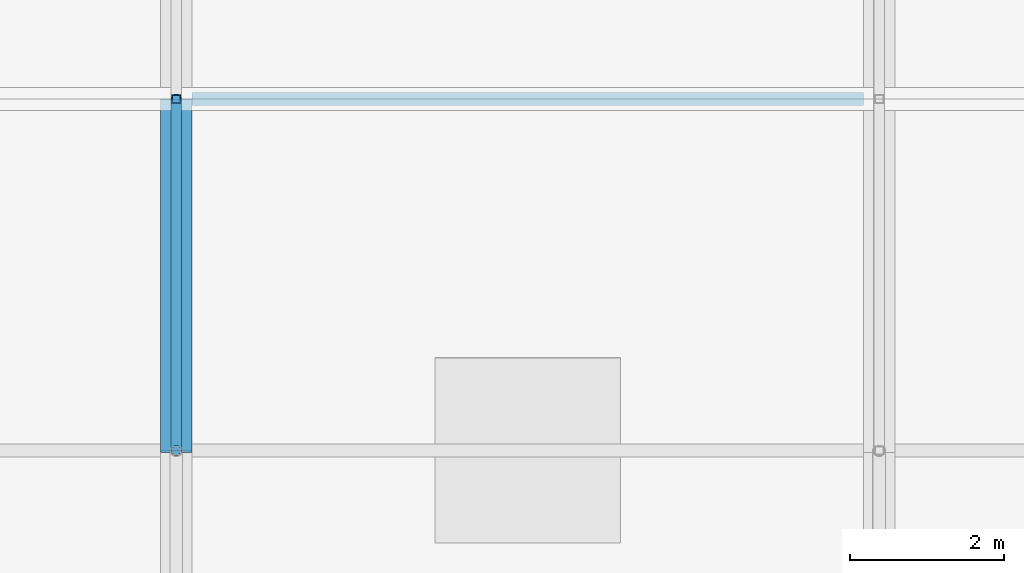
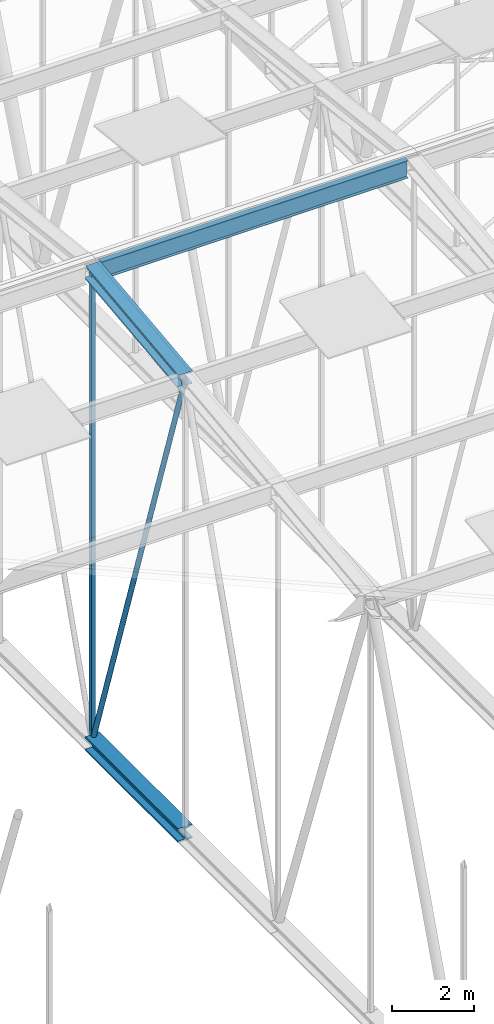
# One storey, part 143 of 500: 5 members.
"""IFC4 building model written with IfcOpenShell, lengths in metres."""

from ifc_helpers import new_model, si_unit, direction, frame, origin, origin_2d, place, context, subcontext, project, spatial, hollow_rectangle, hollow_circle, i_section, extrude, material, material_profile, profile_set, type_object, element, save


model = new_model("IFC4")

# Units and contexts
model_context = context("Model", 3, precision=1e-05, world=origin(), true_north=direction((0.0, 1.0)))
body_context = subcontext(model_context, "Body", "Model", "MODEL_VIEW")
ifc_project = project(units=[si_unit("LENGTHUNIT", "METRE"), si_unit("AREAUNIT", "SQUARE_METRE"), si_unit("VOLUMEUNIT", "CUBIC_METRE"), si_unit("PLANEANGLEUNIT", "RADIAN"), si_unit("MASSUNIT", "GRAM", prefix="KILO")], contexts=[model_context])

# Site, building, storey
site_placement = place(None, origin())
site = spatial("IfcSite", under=ifc_project, at=site_placement, CompositionType="ELEMENT")
building_placement = place(site_placement, origin())
building = spatial("IfcBuilding", under=site, at=building_placement, Name="Shirokan Park Arena", CompositionType="ELEMENT")
storey_placement = place(building_placement, frame((0.0, 0.0, 29.1201171875)))
storey = spatial("IfcBuildingStorey", under=building, at=storey_placement, Name="L06", CompositionType="ELEMENT", Elevation=29.1201171875)

# Members
ifc_material_1 = material(Name="Steel ASTM A992", Category="steel")
ifc_material_profile_1 = material_profile(ifc_material_1, i_section(OverallWidth=0.406005859375, OverallDepth=0.4169921875, WebThickness=0.030029296875, FlangeThickness=0.048095703125, at=origin_2d()), Name="W360X382")
ifc_profile_set_1 = profile_set([ifc_material_profile_1], Name="Steel ASTM A992")
member_type_1 = type_object("IfcMemberType", Name="Bottom chord W360X382", PredefinedType="CHORD", material=ifc_profile_set_1)
member_1_placement = place(storey_placement, frame((72.800048828125, 50.050048828125, 4.677001953125), z_axis=(0.0, 1.0, 0.0), x_axis=(-1.0, 0.0, 0.0)))
element("IfcMember", 1, at=member_1_placement, inside=storey, type_object=member_type_1, Name="Truss T09 bottom chord 14", PredefinedType="CHORD", context=body_context, shape_type="SweptSolid", body=[
    extrude(i_section(OverallWidth=0.406005859375, OverallDepth=0.4169921875, WebThickness=0.030029296875, FlangeThickness=0.048095703125, at=origin_2d()), origin(), (0.0, 0.0, 1.0), 4.550048828125),
])
ifc_material_profile_2 = material_profile(ifc_material_1, i_section(OverallWidth=0.166015625, OverallDepth=0.528076171875, WebThickness=0.009765625, FlangeThickness=0.013671875, at=origin_2d()), Name="W530X74")
ifc_profile_set_2 = profile_set([ifc_material_profile_2], Name="Steel ASTM A992")
member_type_2 = type_object("IfcMemberType", Name="Purlin W530X74", PredefinedType="PURLIN", material=ifc_profile_set_2)
member_2_placement = place(storey_placement, frame((73.0029296875, 54.60009765625, 18.725830078125), z_axis=(1.0, 0.0, 0.0), x_axis=(0.0, 1.0, 0.0)))
element("IfcMember", 2, at=member_2_placement, inside=storey, type_object=member_type_2, Name="Purlin 15 bay 9", PredefinedType="PURLIN", context=body_context, shape_type="SweptSolid", body=[
    extrude(i_section(OverallWidth=0.166015625, OverallDepth=0.528076171875, WebThickness=0.009765625, FlangeThickness=0.013671875, at=origin_2d()), origin(), (0.0, 0.0, 1.0), 8.694091796875),
])
ifc_material_profile_3 = material_profile(ifc_material_1, i_section(OverallWidth=0.406005859375, OverallDepth=0.4169921875, WebThickness=0.030029296875, FlangeThickness=0.048095703125, at=origin_2d()), Name="W360X382")
ifc_profile_set_3 = profile_set([ifc_material_profile_3], Name="Steel ASTM A992")
member_type_3 = type_object("IfcMemberType", Name="Top chord W360X382", PredefinedType="CHORD", material=ifc_profile_set_3)
member_3_placement = place(storey_placement, frame((72.800048828125, 50.050048828125, 18.261474609375), z_axis=(0.0, 0.993532328996, 0.113549598152), x_axis=(-1.0, 0.0, 0.0)))
element("IfcMember", 3, at=member_3_placement, inside=storey, type_object=member_type_3, Name="Truss T09 top chord 14", PredefinedType="CHORD", context=body_context, shape_type="SweptSolid", body=[
    extrude(i_section(OverallWidth=0.406005859375, OverallDepth=0.4169921875, WebThickness=0.030029296875, FlangeThickness=0.048095703125, at=origin_2d()), origin(), (0.0, 0.0, 1.0), 4.57958984375),
])
ifc_material_2 = material(Name="Steel ASTM A500 Grade C", Category="steel")
ifc_material_profile_4 = material_profile(ifc_material_2, hollow_circle(Radius=0.070556640625, WallThickness=0.006591796875, at=origin_2d()), Name="HSS141.3X6.6")
ifc_profile_set_4 = profile_set([ifc_material_profile_4], Name="Steel ASTM A500 Grade C")
member_type_4 = type_object("IfcMemberType", Name="Truss diagonal HSS141.3X6.6", PredefinedType="BRACE", material=ifc_profile_set_4)
member_4_placement = place(storey_placement, frame((72.800048828125, 50.050048828125, 18.261474609375), z_axis=(0.0, 0.317602683872, -0.948223884532), x_axis=(-1.0, 0.0, 0.0)))
element("IfcMember", 4, at=member_4_placement, inside=storey, type_object=member_type_4, Name="Truss T09 diagonal 14", PredefinedType="BRACE", context=body_context, shape_type="SweptSolid", body=[
    extrude(hollow_circle(Radius=0.070556640625, WallThickness=0.006591796875, at=origin_2d()), origin(), (0.0, 0.0, 1.0), 14.326171875),
])
ifc_material_profile_5 = material_profile(ifc_material_2, hollow_rectangle(XDim=0.114013671875, YDim=0.114013671875, WallThickness=0.00634765625, at=origin_2d()), Name="HSS114.3X114.3X6.4")
ifc_profile_set_5 = profile_set([ifc_material_profile_5], Name="Steel ASTM A500 Grade C")
member_type_5 = type_object("IfcMemberType", Name="Truss post HSS114.3X114.3X6.4", PredefinedType="POST", material=ifc_profile_set_5)
member_5_placement = place(storey_placement, frame((72.800048828125, 54.60009765625, 4.677001953125), z_axis=(0.0, 0.0, 1.0), x_axis=(1.0, 0.0, 0.0)))
element("IfcMember", 5, at=member_5_placement, inside=storey, type_object=member_type_5, Name="Truss T09 post 15", PredefinedType="POST", context=body_context, shape_type="SweptSolid", body=[
    extrude(hollow_rectangle(XDim=0.114013671875, YDim=0.114013671875, WallThickness=0.00634765625, at=origin_2d()), origin(), (0.0, 0.0, 1.0), 14.1044921875),
])

save(model, "model.ifc")
